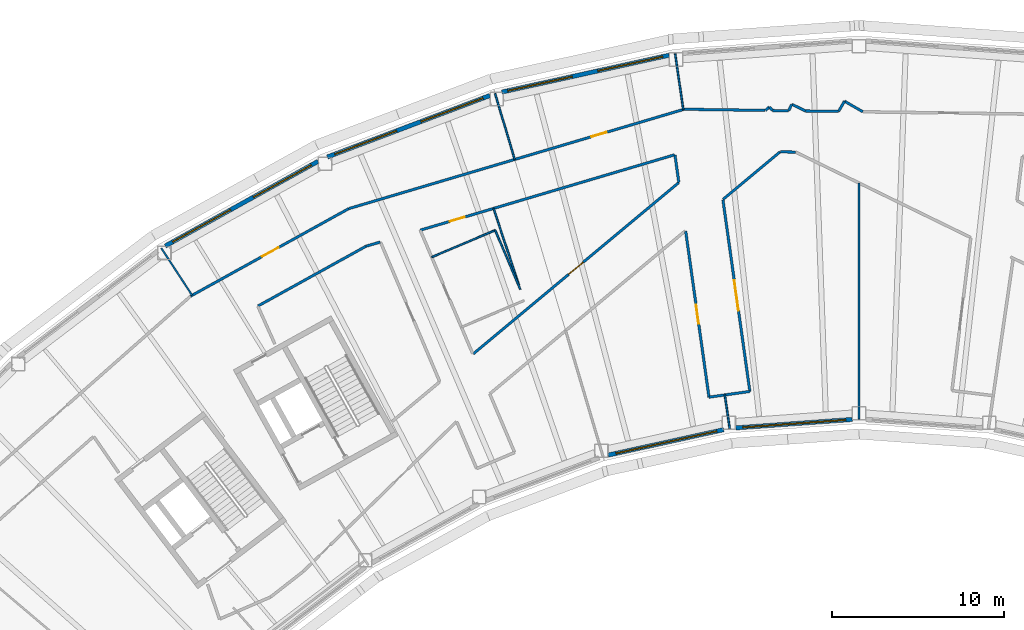
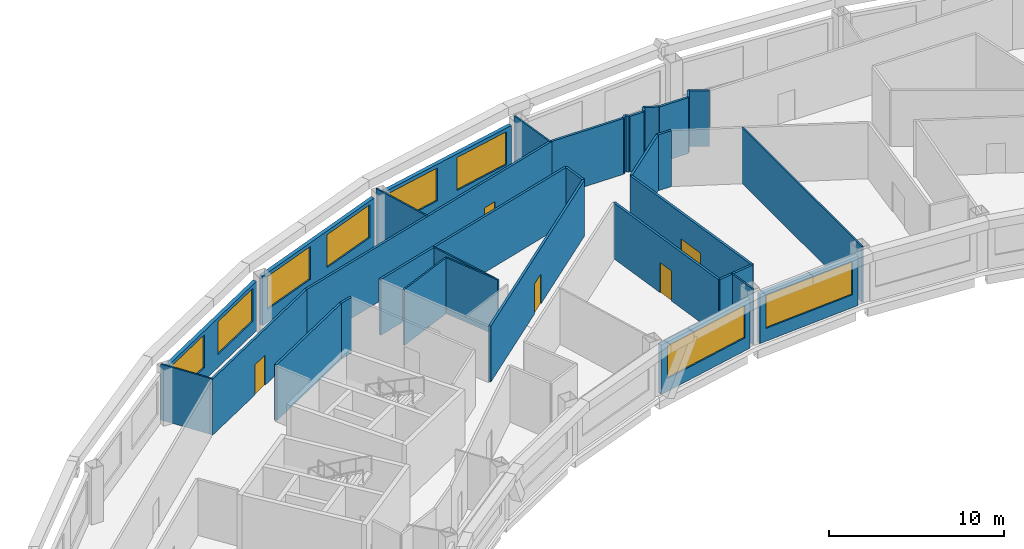
# One storey, part 7 of 14: 34 walls, 8 windows, 6 doors, 14 openings.
"""IFC4 building model written with IfcOpenShell, lengths in metres."""

from ifc_helpers import new_model, si_unit, direction, frame, frame_2d, origin, place, context, subcontext, project, spatial, rectangle, extrude, material, layer, layer_set, type_object, element, fill, save


model = new_model("IFC4")

# Units and contexts
model_context = context("Model", 3, precision=1e-05, world=origin(), true_north=direction((0.0, 1.0)))
body_context = subcontext(model_context, "Body", "Model", "MODEL_VIEW")
ifc_project = project(units=[si_unit("LENGTHUNIT", "METRE"), si_unit("AREAUNIT", "SQUARE_METRE"), si_unit("VOLUMEUNIT", "CUBIC_METRE"), si_unit("PLANEANGLEUNIT", "RADIAN"), si_unit("MASSUNIT", "GRAM", prefix="KILO")], contexts=[model_context])

# Site, building, storey
site_placement = place(None, origin())
site = spatial("IfcSite", under=ifc_project, at=site_placement, CompositionType="ELEMENT")
building_placement = place(site_placement, origin())
building = spatial("IfcBuilding", under=site, at=building_placement, Name="Tuul Gate Civic Tower", CompositionType="ELEMENT")
storey_placement = place(building_placement, frame((0.0, 0.0, 323.89990234375)))
storey = spatial("IfcBuildingStorey", under=building, at=storey_placement, Name="Level 73", CompositionType="ELEMENT", Elevation=323.89990234375)

# Walls
ifc_material_1 = material(Name="Gypsum board partition")
ifc_layer_1 = layer(ifc_material_1, 0.14990234375)
ifc_layer_set_1 = layer_set([ifc_layer_1], Name="Gypsum board partition")
wall_type_1 = type_object("IfcWallType", Name="Corridor wall P150", PredefinedType="PARTITIONING", material=ifc_layer_set_1)
wall_1_placement = place(storey_placement, frame((-7.98291015625, 10.157958984375, 0.0), z_axis=(0.0, 0.0, 1.0), x_axis=(0.999900180354, -0.014129024288, 0.0)))
element("IfcWall", 1, at=wall_1_placement, inside=storey, type_object=wall_type_1, Name="p014", PredefinedType="PARTITIONING", context=body_context, shape_type="SweptSolid", body=[
    extrude(rectangle(XDim=4.71728515625, YDim=0.14990234375, at=frame_2d((2.358642578125, 0.0))), origin(), (0.0, 0.0, 1.0), 3.900146484375),
])
wall_2_placement = place(storey_placement, frame((-2.83544921875, 10.085205078125, 0.0), z_axis=(0.0, 0.0, 1.0), x_axis=(0.999903922881, -0.01386163796, 0.0)))
element("IfcWall", 2, at=wall_2_placement, inside=storey, type_object=wall_type_1, Name="p015", PredefinedType="PARTITIONING", context=body_context, shape_type="SweptSolid", body=[
    extrude(rectangle(XDim=0.915771484375, YDim=0.14990234375, at=frame_2d((0.4580078125, 0.0))), origin(), (0.0, 0.0, 1.0), 3.900146484375),
])
wall_3_placement = place(storey_placement, frame((-0.91748046875, 10.05810546875, 0.0), z_axis=(0.0, 0.0, 1.0), x_axis=(0.9999006501, -0.014095741575, 0.0)))
element("IfcWall", 3, at=wall_3_placement, inside=storey, type_object=wall_type_1, Name="p016", PredefinedType="PARTITIONING", context=body_context, shape_type="SweptSolid", body=[
    extrude(rectangle(XDim=1.9052734375, YDim=0.14990234375, at=frame_2d((0.95263671875, 0.0))), origin(), (0.0, 0.0, 1.0), 3.900146484375),
])
wall_4_placement = place(storey_placement, frame((1.343505859375, 10.626708984375, 0.0), z_axis=(0.0, 0.0, 1.0), x_axis=(0.866684977595, -0.498855840511, 0.0)))
element("IfcWall", 4, at=wall_4_placement, inside=storey, type_object=wall_type_1, Name="p021", PredefinedType="PARTITIONING", context=body_context, shape_type="SweptSolid", body=[
    extrude(rectangle(XDim=1.22802734375, YDim=0.14990234375, at=frame_2d((0.614013671875, 0.0))), origin(), (0.0, 0.0, 1.0), 3.900146484375),
])
wall_5_placement = place(storey_placement, frame((1.005859375, 10.041748046875, 0.0), z_axis=(0.0, 0.0, 1.0), x_axis=(0.498709090945, 0.866769428746, 0.0)))
element("IfcWall", 5, at=wall_5_placement, inside=storey, type_object=wall_type_1, Name="p024", PredefinedType="PARTITIONING", context=body_context, shape_type="SweptSolid", body=[
    extrude(rectangle(XDim=0.674560546875, YDim=0.14990234375, at=frame_2d((0.33740234375, 0.0))), origin(), (0.0, 0.0, 1.0), 3.900146484375),
])
wall_6_placement = place(storey_placement, frame((-1.721923828125, 10.448486328125, 0.0), z_axis=(0.0, 0.0, 1.0), x_axis=(0.898638392768, -0.438690140125, 0.0)))
element("IfcWall", 6, at=wall_6_placement, inside=storey, type_object=wall_type_1, Name="p025", PredefinedType="PARTITIONING", context=body_context, shape_type="SweptSolid", body=[
    extrude(rectangle(XDim=0.88427734375, YDim=0.14990234375, at=frame_2d((0.442138671875, 0.0))), origin(), (0.0, 0.0, 1.0), 3.900146484375),
])
wall_7_placement = place(storey_placement, frame((-1.900634765625, 10.083984375, 0.0), z_axis=(0.0, 0.0, 1.0), x_axis=(0.438756078999, 0.898606200258, 0.0)))
element("IfcWall", 7, at=wall_7_placement, inside=storey, type_object=wall_type_1, Name="p026", PredefinedType="PARTITIONING", context=body_context, shape_type="SweptSolid", body=[
    extrude(rectangle(XDim=0.405029296875, YDim=0.14990234375, at=frame_2d((0.20263671875, 0.0))), origin(), (0.0, 0.0, 1.0), 3.900146484375),
])
wall_8_placement = place(storey_placement, frame((-3.016845703125, 10.29150390625, 0.0), z_axis=(0.0, 0.0, 1.0), x_axis=(0.640463102526, -0.767988941524, 0.0)))
element("IfcWall", 8, at=wall_8_placement, inside=storey, type_object=wall_type_1, Name="p027", PredefinedType="PARTITIONING", context=body_context, shape_type="SweptSolid", body=[
    extrude(rectangle(XDim=0.258544921875, YDim=0.14990234375, at=frame_2d((0.12939453125, 0.0))), origin(), (0.0, 0.0, 1.0), 3.900146484375),
])

# Wall, opening, door
wall_9_placement = place(storey_placement, frame((-20.246826171875, -4.06982421875, 0.0), z_axis=(0.0, 0.0, 1.0), x_axis=(0.768138936069, 0.640283198979, 0.0)))
wall_9 = element("IfcWall", 9, at=wall_9_placement, inside=storey, type_object=wall_type_1, Name="p029", PredefinedType="PARTITIONING", context=body_context, shape_type="SweptSolid", body=[
    extrude(rectangle(XDim=15.5546875, YDim=0.14990234375, at=frame_2d((7.77734375, 0.0))), origin(), (0.0, 0.0, 1.0), 3.900146484375),
])
opening_1_placement = place(wall_9_placement, frame((7.227294921875, 0.0, 0.0)))
opening_1 = element("IfcOpeningElement", 10, at=opening_1_placement, cuts=wall_9, Name="Opening AA-D23", PredefinedType="OPENING", context=body_context, shape_type="SweptSolid", body=[
    extrude(rectangle(XDim=1.10009765625, YDim=2.10009765625, at=frame_2d((0.550048828125, 1.050048828125))), frame((0.0, 0.0849609375, 0.0), z_axis=(0.0, -1.0, 0.0), x_axis=(1.0, 0.0, 0.0)), (0.0, 0.0, 1.0), 0.169921875),
])
ifc_material_2 = material(Name="Timber door leaf", Category="wood")
door_type_1 = type_object("IfcDoorType", Name="Door D11", OperationType="NOTDEFINED", PredefinedType="DOOR", material=ifc_material_2)
door_1_placement = place(opening_1_placement, origin())
door_1 = element("IfcDoor", 11, at=door_1_placement, inside=storey, type_object=door_type_1, Name="Door AA-D23", OperationType="SINGLE_SWING_RIGHT", OverallHeight=2.10009765625, OverallWidth=1.10009765625, PredefinedType="DOOR", context=body_context, shape_type="SweptSolid", body=[
    extrude(rectangle(XDim=1.10009765625, YDim=2.10009765625, at=frame_2d((0.550048828125, 1.050048828125))), frame((0.0, 0.02490234375, 0.0), z_axis=(0.0, -1.0, 0.0), x_axis=(1.0, 0.0, 0.0)), (0.0, 0.0, 1.0), 0.050048828125),
])
fill(opening_1, door_1)

# Wall
wall_10_placement = place(storey_placement, frame((-3.251953125, 10.096435546875, 0.0), z_axis=(0.0, 0.0, 1.0), x_axis=(0.768286942229, 0.640105596289, 0.0)))
element("IfcWall", 12, at=wall_10_placement, inside=storey, type_object=wall_type_1, Name="p030", PredefinedType="PARTITIONING", context=body_context, shape_type="SweptSolid", body=[
    extrude(rectangle(XDim=0.3046875, YDim=0.14990234375, at=frame_2d((0.15234375, 0.0))), origin(), (0.0, 0.0, 1.0), 3.900146484375),
])

# Wall, opening, door
wall_11_placement = place(storey_placement, frame((-27.4921875, 4.376708984375, 0.0), z_axis=(0.0, 0.0, 1.0), x_axis=(0.958785885626, 0.284129592833, 0.0)))
wall_11 = element("IfcWall", 13, at=wall_11_placement, inside=storey, type_object=wall_type_1, Name="p031", PredefinedType="PARTITIONING", context=body_context, shape_type="SweptSolid", body=[
    extrude(rectangle(XDim=20.346435546875, YDim=0.14990234375, at=frame_2d((10.17333984375, 0.0))), origin(), (0.0, 0.0, 1.0), 3.900146484375),
])
opening_2_placement = place(wall_11_placement, frame((14.73291015625, 0.0, 0.0)))
opening_2 = element("IfcOpeningElement", 14, at=opening_2_placement, cuts=wall_11, Name="Opening AA-D03", PredefinedType="OPENING", context=body_context, shape_type="SweptSolid", body=[
    extrude(rectangle(XDim=0.89990234375, YDim=2.10009765625, at=frame_2d((0.449951171875, 1.050048828125))), frame((0.0, 0.0849609375, 0.0), z_axis=(0.0, -1.0, 0.0), x_axis=(1.0, 0.0, 0.0)), (0.0, 0.0, 1.0), 0.169921875),
])
ifc_material_3 = material(Name="Timber door leaf", Category="wood")
door_type_2 = type_object("IfcDoorType", Name="Door D09", OperationType="NOTDEFINED", PredefinedType="DOOR", material=ifc_material_3)
door_2_placement = place(opening_2_placement, origin())
door_2 = element("IfcDoor", 15, at=door_2_placement, inside=storey, type_object=door_type_2, Name="Door AA-D03", OperationType="SINGLE_SWING_RIGHT", OverallHeight=2.10009765625, OverallWidth=0.89990234375, PredefinedType="DOOR", context=body_context, shape_type="SweptSolid", body=[
    extrude(rectangle(XDim=0.89990234375, YDim=2.10009765625, at=frame_2d((0.449951171875, 1.050048828125))), frame((0.0, 0.02490234375, 0.0), z_axis=(0.0, -1.0, 0.0), x_axis=(1.0, 0.0, 0.0)), (0.0, 0.0, 1.0), 0.050048828125),
])
fill(opening_2, door_2)

wall_12_placement = place(storey_placement, frame((-36.686767578125, -0.711181640625, 0.0), z_axis=(0.0, 0.0, 1.0), x_axis=(0.874969326866, 0.484178352514, 0.0)))
wall_12 = element("IfcWall", 16, at=wall_12_placement, inside=storey, type_object=wall_type_1, Name="p036", PredefinedType="PARTITIONING", context=body_context, shape_type="SweptSolid", body=[
    extrude(rectangle(XDim=10.5068359375, YDim=0.14990234375, at=frame_2d((5.25341796875, 0.0))), origin(), (0.0, 0.0, 1.0), 3.900146484375),
])
opening_3_placement = place(wall_12_placement, frame((4.753662109375, 0.0, 0.0)))
opening_3 = element("IfcOpeningElement", 17, at=opening_3_placement, cuts=wall_12, Name="Opening AA-D04", PredefinedType="OPENING", context=body_context, shape_type="SweptSolid", body=[
    extrude(rectangle(XDim=1.10009765625, YDim=2.10009765625, at=frame_2d((0.550048828125, 1.050048828125))), frame((0.0, 0.0849609375, 0.0), z_axis=(0.0, -1.0, 0.0), x_axis=(1.0, 0.0, 0.0)), (0.0, 0.0, 1.0), 0.169921875),
])
door_3_placement = place(opening_3_placement, origin())
door_3 = element("IfcDoor", 18, at=door_3_placement, inside=storey, type_object=door_type_1, Name="Door AA-D04", OperationType="SINGLE_SWING_RIGHT", OverallHeight=2.10009765625, OverallWidth=1.10009765625, PredefinedType="DOOR", context=body_context, shape_type="SweptSolid", body=[
    extrude(rectangle(XDim=1.10009765625, YDim=2.10009765625, at=frame_2d((0.550048828125, 1.050048828125))), frame((0.0, 0.02490234375, 0.0), z_axis=(0.0, -1.0, 0.0), x_axis=(1.0, 0.0, 0.0)), (0.0, 0.0, 1.0), 0.050048828125),
])
fill(opening_3, door_3)

# Wall
wall_13_placement = place(storey_placement, frame((-6.53564453125, -6.5869140625, 0.0), z_axis=(0.0, 0.0, 1.0), x_axis=(0.990258552529, 0.139240795545, 0.0)))
element("IfcWall", 19, at=wall_13_placement, inside=storey, type_object=wall_type_1, Name="p076", PredefinedType="PARTITIONING", context=body_context, shape_type="SweptSolid", body=[
    extrude(rectangle(XDim=2.398681640625, YDim=0.14990234375, at=frame_2d((1.19921875, 0.0))), origin(), (0.0, 0.0, 1.0), 3.900146484375),
])

# Wall, opening, door
wall_14_placement = place(storey_placement, frame((-5.726806640625, 4.896240234375, 0.0), z_axis=(0.0, 0.0, 1.0), x_axis=(0.139180402056, -0.990267042612, 0.0)))
wall_14 = element("IfcWall", 20, at=wall_14_placement, inside=storey, type_object=wall_type_1, Name="p077", PredefinedType="PARTITIONING", context=body_context, shape_type="SweptSolid", body=[
    extrude(rectangle(XDim=11.258056640625, YDim=0.14990234375, at=frame_2d((5.62890625, 0.0))), origin(), (0.0, 0.0, 1.0), 3.900146484375),
])
opening_4_placement = place(wall_14_placement, frame((4.72900390625, 0.0, 0.0)))
opening_4 = element("IfcOpeningElement", 21, at=opening_4_placement, cuts=wall_14, Name="Opening AA-D15", PredefinedType="OPENING", context=body_context, shape_type="SweptSolid", body=[
    extrude(rectangle(XDim=1.800048828125, YDim=2.10009765625, at=frame_2d((0.89990234375, 1.050048828125))), frame((0.0, 0.0849609375, 0.0), z_axis=(0.0, -1.0, 0.0), x_axis=(1.0, 0.0, 0.0)), (0.0, 0.0, 1.0), 0.169921875),
])
ifc_material_4 = material(Name="Timber door leaf, double", Category="wood")
door_type_3 = type_object("IfcDoorType", Name="Door D18", OperationType="DOUBLE_DOOR_SINGLE_SWING", PredefinedType="DOOR", material=ifc_material_4)
door_4_placement = place(opening_4_placement, origin())
door_4 = element("IfcDoor", 22, at=door_4_placement, inside=storey, type_object=door_type_3, Name="Door AA-D15", OperationType="DOUBLE_DOOR_SINGLE_SWING", OverallHeight=2.10009765625, OverallWidth=1.800048828125, PredefinedType="DOOR", context=body_context, shape_type="SweptSolid", body=[
    extrude(rectangle(XDim=1.800048828125, YDim=2.10009765625, at=frame_2d((0.89990234375, 1.050048828125))), frame((0.0, 0.02490234375, 0.0), z_axis=(0.0, -1.0, 0.0), x_axis=(1.0, 0.0, 0.0)), (0.0, 0.0, 1.0), 0.050048828125),
])
fill(opening_4, door_4)

# Walls
wall_15_placement = place(storey_placement, frame((-5.719482421875, 4.915283203125, 0.0), z_axis=(0.0, 0.0, 1.0), x_axis=(0.768165605257, 0.640251202967, 0.0)))
element("IfcWall", 23, at=wall_15_placement, inside=storey, type_object=wall_type_1, Name="p081", PredefinedType="PARTITIONING", context=body_context, shape_type="SweptSolid", body=[
    extrude(rectangle(XDim=4.3134765625, YDim=0.14990234375, at=frame_2d((2.15673828125, 0.0))), origin(), (0.0, 0.0, 1.0), 3.900146484375),
])
wall_16_placement = place(storey_placement, frame((-2.39208984375, 7.681884765625, 0.0), z_axis=(0.0, 0.0, 1.0), x_axis=(0.999842766051, -0.017732545646, 0.0)))
element("IfcWall", 24, at=wall_16_placement, inside=storey, type_object=wall_type_1, Name="p082", PredefinedType="PARTITIONING", context=body_context, shape_type="SweptSolid", body=[
    extrude(rectangle(XDim=0.89501953125, YDim=0.14990234375, at=frame_2d((0.447509765625, 0.0))), origin(), (0.0, 0.0, 1.0), 3.900146484375),
])
wall_17_placement = place(storey_placement, frame((-8.51513671875, 7.4921875, 0.0), z_axis=(0.0, 0.0, 1.0), x_axis=(0.139156639217, -0.990270382149, 0.0)))
element("IfcWall", 25, at=wall_17_placement, inside=storey, type_object=wall_type_1, Name="p084", PredefinedType="PARTITIONING", context=body_context, shape_type="SweptSolid", body=[
    extrude(rectangle(XDim=1.60009765625, YDim=0.14990234375, at=frame_2d((0.800048828125, 0.0))), origin(), (0.0, 0.0, 1.0), 3.900146484375),
])

# Wall, opening, door
wall_18_placement = place(storey_placement, frame((-7.892578125, 3.063232421875, 0.0), z_axis=(0.0, 0.0, 1.0), x_axis=(0.139155018901, -0.990270609841, 0.0)))
wall_18 = element("IfcWall", 26, at=wall_18_placement, inside=storey, type_object=wall_type_1, Name="p085", PredefinedType="PARTITIONING", context=body_context, shape_type="SweptSolid", body=[
    extrude(rectangle(XDim=9.744140625, YDim=0.14990234375, at=frame_2d((4.8720703125, 0.0))), origin(), (0.0, 0.0, 1.0), 3.900146484375),
])
opening_5_placement = place(wall_18_placement, frame((4.322265625, 0.0, 0.0)))
opening_5 = element("IfcOpeningElement", 27, at=opening_5_placement, cuts=wall_18, Name="Opening AA-D16", PredefinedType="OPENING", context=body_context, shape_type="SweptSolid", body=[
    extrude(rectangle(XDim=1.10009765625, YDim=2.10009765625, at=frame_2d((0.550048828125, 1.050048828125))), frame((0.0, 0.0849609375, 0.0), z_axis=(0.0, -1.0, 0.0), x_axis=(1.0, 0.0, 0.0)), (0.0, 0.0, 1.0), 0.169921875),
])
door_5_placement = place(opening_5_placement, frame((1.10009765625, 0.0, 0.0), z_axis=(0.0, 0.0, 1.0), x_axis=(-1.0, 0.0, 0.0)))
door_5 = element("IfcDoor", 28, at=door_5_placement, inside=storey, type_object=door_type_1, Name="Door AA-D16", OperationType="SINGLE_SWING_LEFT", OverallHeight=2.10009765625, OverallWidth=1.10009765625, PredefinedType="DOOR", context=body_context, shape_type="SweptSolid", body=[
    extrude(rectangle(XDim=1.10009765625, YDim=2.10009765625, at=frame_2d((0.550048828125, 1.050048828125))), frame((0.0, 0.02490234375, 0.0), z_axis=(0.0, -1.0, 0.0), x_axis=(1.0, 0.0, 0.0)), (0.0, 0.0, 1.0), 0.050048828125),
])
fill(opening_5, door_5)

# Wall
wall_19_placement = place(storey_placement, frame((-26.485595703125, 2.190185546875, 0.0), z_axis=(0.0, 0.0, 1.0), x_axis=(0.958737802555, 0.284291797196, 0.0)))
element("IfcWall", 29, at=wall_19_placement, inside=storey, type_object=wall_type_1, Name="p107", PredefinedType="PARTITIONING", context=body_context, shape_type="SweptSolid", body=[
    extrude(rectangle(XDim=0.85791015625, YDim=0.14990234375, at=frame_2d((0.428955078125, 0.0))), origin(), (0.0, 0.0, 1.0), 3.900146484375),
])

# Wall, opening, door
wall_20_placement = place(storey_placement, frame((-23.32958984375, 3.125732421875, 0.0), z_axis=(0.0, 0.0, 1.0), x_axis=(0.958770323689, 0.284182100796, 0.0)))
wall_20 = element("IfcWall", 30, at=wall_20_placement, inside=storey, type_object=wall_type_1, Name="p108", PredefinedType="PARTITIONING", context=body_context, shape_type="SweptSolid", body=[
    extrude(rectangle(XDim=15.42431640625, YDim=0.14990234375, at=frame_2d((7.712158203125, 0.0))), origin(), (0.0, 0.0, 1.0), 3.900146484375),
])
opening_6_placement = place(wall_20_placement, frame((1.78955078125, 0.0, 0.0)))
opening_6 = element("IfcOpeningElement", 31, at=opening_6_placement, cuts=wall_20, Name="Opening AA-D27", PredefinedType="OPENING", context=body_context, shape_type="SweptSolid", body=[
    extrude(rectangle(XDim=0.89990234375, YDim=2.10009765625, at=frame_2d((0.449951171875, 1.050048828125))), frame((0.0, 0.0849609375, 0.0), z_axis=(0.0, -1.0, 0.0), x_axis=(1.0, 0.0, 0.0)), (0.0, 0.0, 1.0), 0.169921875),
])
door_6_placement = place(opening_6_placement, frame((0.89990234375, 0.0, 0.0), z_axis=(0.0, 0.0, 1.0), x_axis=(-1.0, 0.0, 0.0)))
door_6 = element("IfcDoor", 32, at=door_6_placement, inside=storey, type_object=door_type_2, Name="Door AA-D27", OperationType="SINGLE_SWING_LEFT", OverallHeight=2.10009765625, OverallWidth=0.89990234375, PredefinedType="DOOR", context=body_context, shape_type="SweptSolid", body=[
    extrude(rectangle(XDim=0.89990234375, YDim=2.10009765625, at=frame_2d((0.449951171875, 1.050048828125))), frame((0.0, 0.02490234375, 0.0), z_axis=(0.0, -1.0, 0.0), x_axis=(1.0, 0.0, 0.0)), (0.0, 0.0, 1.0), 0.050048828125),
])
fill(opening_6, door_6)

# Wall
wall_21_placement = place(storey_placement, frame((-32.760009765625, -1.28125, 0.0), z_axis=(0.0, 0.0, 1.0), x_axis=(0.874975693956, 0.484166846227, 0.0)))
element("IfcWall", 33, at=wall_21_placement, inside=storey, type_object=wall_type_1, Name="p112", PredefinedType="PARTITIONING", context=body_context, shape_type="SweptSolid", body=[
    extrude(rectangle(XDim=7.165283203125, YDim=0.14990234375, at=frame_2d((3.58251953125, 0.0))), origin(), (0.0, 0.0, 1.0), 3.900146484375),
])

# Wall, openings, windows
ifc_material_5 = material(Name="Precast concrete C40/50", Category="concrete")
ifc_layer_2 = layer(ifc_material_5, 0.25)
ifc_layer_set_2 = layer_set([ifc_layer_2], Name="Precast concrete C40/50")
wall_type_2 = type_object("IfcWallType", Name="External wall", PredefinedType="STANDARD", material=ifc_layer_set_2)
wall_22_placement = place(storey_placement, frame((-8.85693359375, 13.30126953125, 0.0), z_axis=(0.0, 0.0, 1.0), x_axis=(-0.97656455672, -0.215224688544, 0.0)))
wall_22 = element("IfcWall", 34, at=wall_22_placement, inside=storey, type_object=wall_type_2, Name="External wall", PredefinedType="STANDARD", context=body_context, shape_type="SweptSolid", body=[
    extrude(rectangle(XDim=9.95849609375, YDim=0.25, at=frame_2d((4.979248046875, 0.0))), origin(), (0.0, 0.0, 1.0), 3.4501953125),
])
opening_7_placement = place(wall_22_placement, frame((0.39013671875, 0.0, 0.89990234375)))
opening_7 = element("IfcOpeningElement", 35, at=opening_7_placement, cuts=wall_22, Name="Opening W22", PredefinedType="OPENING", context=body_context, shape_type="SweptSolid", body=[
    extrude(rectangle(XDim=3.85009765625, YDim=2.300048828125, at=frame_2d((1.925048828125, 1.14990234375))), frame((0.0, 0.135009765625, 0.0), z_axis=(0.0, -1.0, 0.0), x_axis=(1.0, 0.0, 0.0)), (0.0, 0.0, 1.0), 0.27001953125),
])
opening_8_placement = place(wall_22_placement, frame((5.761474609375, 0.0, 0.89990234375)))
opening_8 = element("IfcOpeningElement", 36, at=opening_8_placement, cuts=wall_22, Name="Opening W22", PredefinedType="OPENING", context=body_context, shape_type="SweptSolid", body=[
    extrude(rectangle(XDim=3.85009765625, YDim=2.300048828125, at=frame_2d((1.925048828125, 1.14990234375))), frame((0.0, 0.135009765625, 0.0), z_axis=(0.0, -1.0, 0.0), x_axis=(1.0, 0.0, 0.0)), (0.0, 0.0, 1.0), 0.27001953125),
])
ifc_material_6 = material(Name="Glass", Category="glass")
window_type_1 = type_object("IfcWindowType", Name="Window W22 3850 x 2300", PartitioningType="SINGLE_PANEL", PredefinedType="WINDOW", material=ifc_material_6)
window_1_placement = place(opening_7_placement, origin())
window_1 = element("IfcWindow", 37, at=window_1_placement, inside=storey, type_object=window_type_1, Name="Window", OverallHeight=2.300048828125, OverallWidth=3.85009765625, PartitioningType="SINGLE_PANEL", PredefinedType="WINDOW", context=body_context, shape_type="SweptSolid", body=[
    extrude(rectangle(XDim=3.85009765625, YDim=2.300048828125, at=frame_2d((1.925048828125, 1.14990234375))), frame((0.0, 0.030029296875, 0.0), z_axis=(0.0, -1.0, 0.0), x_axis=(1.0, 0.0, 0.0)), (0.0, 0.0, 1.0), 0.06005859375),
])
fill(opening_7, window_1)
window_2_placement = place(opening_8_placement, origin())
window_2 = element("IfcWindow", 38, at=window_2_placement, inside=storey, type_object=window_type_1, Name="Window", OverallHeight=2.300048828125, OverallWidth=3.85009765625, PartitioningType="SINGLE_PANEL", PredefinedType="WINDOW", context=body_context, shape_type="SweptSolid", body=[
    extrude(rectangle(XDim=3.85009765625, YDim=2.300048828125, at=frame_2d((1.925048828125, 1.14990234375))), frame((0.0, 0.030029296875, 0.0), z_axis=(0.0, -1.0, 0.0), x_axis=(1.0, 0.0, 0.0)), (0.0, 0.0, 1.0), 0.06005859375),
])
fill(opening_8, window_2)

wall_23_placement = place(storey_placement, frame((-19.284912109375, 10.95458984375, 0.0), z_axis=(0.0, 0.0, 1.0), x_axis=(-0.93534700963, -0.353731496444, 0.0)))
wall_23 = element("IfcWall", 39, at=wall_23_placement, inside=storey, type_object=wall_type_2, Name="External wall", PredefinedType="STANDARD", context=body_context, shape_type="SweptSolid", body=[
    extrude(rectangle(XDim=10.099609375, YDim=0.25, at=frame_2d((5.0498046875, 0.0))), origin(), (0.0, 0.0, 1.0), 3.4501953125),
])
opening_9_placement = place(wall_23_placement, frame((0.422607421875, 0.0, 0.89990234375)))
opening_9 = element("IfcOpeningElement", 40, at=opening_9_placement, cuts=wall_23, Name="Opening W22", PredefinedType="OPENING", context=body_context, shape_type="SweptSolid", body=[
    extrude(rectangle(XDim=3.85009765625, YDim=2.300048828125, at=frame_2d((1.925048828125, 1.14990234375))), frame((0.0, 0.135009765625, 0.0), z_axis=(0.0, -1.0, 0.0), x_axis=(1.0, 0.0, 0.0)), (0.0, 0.0, 1.0), 0.27001953125),
])
opening_10_placement = place(wall_23_placement, frame((5.7939453125, 0.0, 0.89990234375)))
opening_10 = element("IfcOpeningElement", 41, at=opening_10_placement, cuts=wall_23, Name="Opening W22", PredefinedType="OPENING", context=body_context, shape_type="SweptSolid", body=[
    extrude(rectangle(XDim=3.85009765625, YDim=2.300048828125, at=frame_2d((1.925048828125, 1.14990234375))), frame((0.0, 0.135009765625, 0.0), z_axis=(0.0, -1.0, 0.0), x_axis=(1.0, 0.0, 0.0)), (0.0, 0.0, 1.0), 0.27001953125),
])
window_3_placement = place(opening_9_placement, origin())
window_3 = element("IfcWindow", 42, at=window_3_placement, inside=storey, type_object=window_type_1, Name="Window", OverallHeight=2.300048828125, OverallWidth=3.85009765625, PartitioningType="SINGLE_PANEL", PredefinedType="WINDOW", context=body_context, shape_type="SweptSolid", body=[
    extrude(rectangle(XDim=3.85009765625, YDim=2.300048828125, at=frame_2d((1.925048828125, 1.14990234375))), frame((0.0, 0.030029296875, 0.0), z_axis=(0.0, -1.0, 0.0), x_axis=(1.0, 0.0, 0.0)), (0.0, 0.0, 1.0), 0.06005859375),
])
fill(opening_9, window_3)
window_4_placement = place(opening_10_placement, origin())
window_4 = element("IfcWindow", 43, at=window_4_placement, inside=storey, type_object=window_type_1, Name="Window", OverallHeight=2.300048828125, OverallWidth=3.85009765625, PartitioningType="SINGLE_PANEL", PredefinedType="WINDOW", context=body_context, shape_type="SweptSolid", body=[
    extrude(rectangle(XDim=3.85009765625, YDim=2.300048828125, at=frame_2d((1.925048828125, 1.14990234375))), frame((0.0, 0.030029296875, 0.0), z_axis=(0.0, -1.0, 0.0), x_axis=(1.0, 0.0, 0.0)), (0.0, 0.0, 1.0), 0.06005859375),
])
fill(opening_10, window_4)

wall_24_placement = place(storey_placement, frame((-29.27197265625, 7.131103515625, 0.0), z_axis=(0.0, 0.0, 1.0), x_axis=(-0.87463511472, -0.484781823193, 0.0)))
wall_24 = element("IfcWall", 44, at=wall_24_placement, inside=storey, type_object=wall_type_2, Name="External wall", PredefinedType="STANDARD", context=body_context, shape_type="SweptSolid", body=[
    extrude(rectangle(XDim=10.161376953125, YDim=0.25, at=frame_2d((5.08056640625, 0.0))), origin(), (0.0, 0.0, 1.0), 3.4501953125),
])
opening_11_placement = place(wall_24_placement, frame((0.4501953125, 0.0, 0.89990234375)))
opening_11 = element("IfcOpeningElement", 45, at=opening_11_placement, cuts=wall_24, Name="Opening W22", PredefinedType="OPENING", context=body_context, shape_type="SweptSolid", body=[
    extrude(rectangle(XDim=3.85009765625, YDim=2.300048828125, at=frame_2d((1.925048828125, 1.14990234375))), frame((0.0, 0.135009765625, 0.0), z_axis=(0.0, -1.0, 0.0), x_axis=(1.0, 0.0, 0.0)), (0.0, 0.0, 1.0), 0.27001953125),
])
opening_12_placement = place(wall_24_placement, frame((5.821533203125, 0.0, 0.89990234375)))
opening_12 = element("IfcOpeningElement", 46, at=opening_12_placement, cuts=wall_24, Name="Opening W22", PredefinedType="OPENING", context=body_context, shape_type="SweptSolid", body=[
    extrude(rectangle(XDim=3.85009765625, YDim=2.300048828125, at=frame_2d((1.925048828125, 1.14990234375))), frame((0.0, 0.135009765625, 0.0), z_axis=(0.0, -1.0, 0.0), x_axis=(1.0, 0.0, 0.0)), (0.0, 0.0, 1.0), 0.27001953125),
])
window_5_placement = place(opening_11_placement, origin())
window_5 = element("IfcWindow", 47, at=window_5_placement, inside=storey, type_object=window_type_1, Name="Window", OverallHeight=2.300048828125, OverallWidth=3.85009765625, PartitioningType="SINGLE_PANEL", PredefinedType="WINDOW", context=body_context, shape_type="SweptSolid", body=[
    extrude(rectangle(XDim=3.85009765625, YDim=2.300048828125, at=frame_2d((1.925048828125, 1.14990234375))), frame((0.0, 0.030029296875, 0.0), z_axis=(0.0, -1.0, 0.0), x_axis=(1.0, 0.0, 0.0)), (0.0, 0.0, 1.0), 0.06005859375),
])
fill(opening_11, window_5)
window_6_placement = place(opening_12_placement, origin())
window_6 = element("IfcWindow", 48, at=window_6_placement, inside=storey, type_object=window_type_1, Name="Window", OverallHeight=2.300048828125, OverallWidth=3.85009765625, PartitioningType="SINGLE_PANEL", PredefinedType="WINDOW", context=body_context, shape_type="SweptSolid", body=[
    extrude(rectangle(XDim=3.85009765625, YDim=2.300048828125, at=frame_2d((1.925048828125, 1.14990234375))), frame((0.0, 0.030029296875, 0.0), z_axis=(0.0, -1.0, 0.0), x_axis=(1.0, 0.0, 0.0)), (0.0, 0.0, 1.0), 0.06005859375),
])
fill(opening_12, window_6)

# Wall, opening, window
wall_25_placement = place(storey_placement, frame((-12.39404296875, -9.955322265625, 0.0), z_axis=(0.0, 0.0, 1.0), x_axis=(0.976561146318, 0.215240162382, 0.0)))
wall_25 = element("IfcWall", 49, at=wall_25_placement, inside=storey, type_object=wall_type_2, Name="External wall", PredefinedType="STANDARD", context=body_context, shape_type="SweptSolid", body=[
    extrude(rectangle(XDim=6.867919921875, YDim=0.25, at=frame_2d((3.43408203125, 0.0))), origin(), (0.0, 0.0, 1.0), 3.4501953125),
])
opening_13_placement = place(wall_25_placement, frame((0.458251953125, 0.0, 0.89990234375)))
opening_13 = element("IfcOpeningElement", 50, at=opening_13_placement, cuts=wall_25, Name="Opening W26", PredefinedType="OPENING", context=body_context, shape_type="SweptSolid", body=[
    extrude(rectangle(XDim=6.0, YDim=2.300048828125, at=frame_2d((3.0, 1.14990234375))), frame((0.0, 0.135009765625, 0.0), z_axis=(0.0, -1.0, 0.0), x_axis=(1.0, 0.0, 0.0)), (0.0, 0.0, 1.0), 0.27001953125),
])
ifc_material_7 = material(Name="Glass", Category="glass")
window_type_2 = type_object("IfcWindowType", Name="Window W26 6000 x 2300", PartitioningType="SINGLE_PANEL", PredefinedType="WINDOW", material=ifc_material_7)
window_7_placement = place(opening_13_placement, origin())
window_7 = element("IfcWindow", 51, at=window_7_placement, inside=storey, type_object=window_type_2, Name="Window", OverallHeight=2.300048828125, OverallWidth=6.0, PartitioningType="SINGLE_PANEL", PredefinedType="WINDOW", context=body_context, shape_type="SweptSolid", body=[
    extrude(rectangle(XDim=6.0, YDim=2.300048828125, at=frame_2d((3.0, 1.14990234375))), frame((0.0, 0.030029296875, 0.0), z_axis=(0.0, -1.0, 0.0), x_axis=(1.0, 0.0, 0.0)), (0.0, 0.0, 1.0), 0.06005859375),
])
fill(opening_13, window_7)

wall_26_placement = place(storey_placement, frame((-4.97998046875, -8.373291015625, 0.0), z_axis=(0.0, 0.0, 1.0), x_axis=(0.997384795983, 0.072274260578, 0.0)))
wall_26 = element("IfcWall", 52, at=wall_26_placement, inside=storey, type_object=wall_type_2, Name="External wall", PredefinedType="STANDARD", context=body_context, shape_type="SweptSolid", body=[
    extrude(rectangle(XDim=6.789794921875, YDim=0.25, at=frame_2d((3.39501953125, 0.0))), origin(), (0.0, 0.0, 1.0), 3.4501953125),
])
opening_14_placement = place(wall_26_placement, frame((0.41845703125, 0.0, 0.89990234375)))
opening_14 = element("IfcOpeningElement", 53, at=opening_14_placement, cuts=wall_26, Name="Opening W26", PredefinedType="OPENING", context=body_context, shape_type="SweptSolid", body=[
    extrude(rectangle(XDim=6.0, YDim=2.300048828125, at=frame_2d((3.0, 1.14990234375))), frame((0.0, 0.135009765625, 0.0), z_axis=(0.0, -1.0, 0.0), x_axis=(1.0, 0.0, 0.0)), (0.0, 0.0, 1.0), 0.27001953125),
])
window_8_placement = place(opening_14_placement, origin())
window_8 = element("IfcWindow", 54, at=window_8_placement, inside=storey, type_object=window_type_2, Name="Window", OverallHeight=2.300048828125, OverallWidth=6.0, PartitioningType="SINGLE_PANEL", PredefinedType="WINDOW", context=body_context, shape_type="SweptSolid", body=[
    extrude(rectangle(XDim=6.0, YDim=2.300048828125, at=frame_2d((3.0, 1.14990234375))), frame((0.0, 0.030029296875, 0.0), z_axis=(0.0, -1.0, 0.0), x_axis=(1.0, 0.0, 0.0)), (0.0, 0.0, 1.0), 0.06005859375),
])
fill(opening_14, window_8)

# Walls
ifc_material_8 = material(Name="Gypsum board partition")
ifc_layer_3 = layer(ifc_material_8, 0.10009765625)
ifc_layer_set_3 = layer_set([ifc_layer_3], Name="Gypsum board partition")
wall_type_3 = type_object("IfcWallType", Name="Partition P100", PredefinedType="PARTITIONING", material=ifc_layer_set_3)
wall_27_placement = place(storey_placement, frame((-8.505126953125, 13.3837890625, 0.0), z_axis=(0.0, 0.0, 1.0), x_axis=(0.144113739499, -0.989561130041, 0.0)))
element("IfcWall", 55, at=wall_27_placement, inside=storey, type_object=wall_type_3, Name="p019", PredefinedType="PARTITIONING", context=body_context, shape_type="SweptSolid", body=[
    extrude(rectangle(XDim=3.274658203125, YDim=0.10009765625, at=frame_2d((1.63720703125, 0.0))), origin(), (0.0, 0.0, 1.0), 3.900146484375),
])
wall_28_placement = place(storey_placement, frame((-5.61572265625, -6.45751953125, 0.0), z_axis=(0.0, 0.0, 1.0), x_axis=(0.14411444465, -0.989561027347, 0.0)))
element("IfcWall", 56, at=wall_28_placement, inside=storey, type_object=wall_type_3, Name="p020", PredefinedType="PARTITIONING", context=body_context, shape_type="SweptSolid", body=[
    extrude(rectangle(XDim=1.966796875, YDim=0.10009765625, at=frame_2d((0.9833984375, 0.0))), origin(), (0.0, 0.0, 1.0), 3.900146484375),
])
wall_29_placement = place(storey_placement, frame((-18.97900390625, 11.07568359375, 0.0), z_axis=(0.0, 0.0, 1.0), x_axis=(0.285238257861, -0.958456642865, 0.0)))
element("IfcWall", 57, at=wall_29_placement, inside=storey, type_object=wall_type_3, Name="p032", PredefinedType="PARTITIONING", context=body_context, shape_type="SweptSolid", body=[
    extrude(rectangle(XDim=4.00390625, YDim=0.10009765625, at=frame_2d((2.001953125, 0.0))), origin(), (0.0, 0.0, 1.0), 3.900146484375),
])
wall_30_placement = place(storey_placement, frame((-38.391357421875, 2.082275390625, 0.0), z_axis=(0.0, 0.0, 1.0), x_axis=(0.546717512126, -0.837317121487, 0.0)))
element("IfcWall", 58, at=wall_30_placement, inside=storey, type_object=wall_type_3, Name="p034", PredefinedType="PARTITIONING", context=body_context, shape_type="SweptSolid", body=[
    extrude(rectangle(XDim=3.278076171875, YDim=0.10009765625, at=frame_2d((1.63916015625, 0.0))), origin(), (0.0, 0.0, 1.0), 3.900146484375),
])
wall_31_placement = place(storey_placement, frame((2.19189453125, -7.858642578125, 0.0), z_axis=(0.0, 0.0, 1.0), x_axis=(0.0, 1.0, 0.0)))
element("IfcWall", 59, at=wall_31_placement, inside=storey, type_object=wall_type_3, Name="p071", PredefinedType="PARTITIONING", context=body_context, shape_type="SweptSolid", body=[
    extrude(rectangle(XDim=13.7265625, YDim=0.10009765625, at=frame_2d((6.86328125, 0.0))), origin(), (0.0, 0.0, 1.0), 3.900146484375),
])
wall_32_placement = place(storey_placement, frame((-19.06396484375, 4.389892578125, 0.0), z_axis=(0.0, 0.0, 1.0), x_axis=(0.313167279049, -0.949697981115, 0.0)))
element("IfcWall", 60, at=wall_32_placement, inside=storey, type_object=wall_type_3, Name="p106", PredefinedType="PARTITIONING", context=body_context, shape_type="SweptSolid", body=[
    extrude(rectangle(XDim=4.693115234375, YDim=0.10009765625, at=frame_2d((2.3466796875, 0.0))), origin(), (0.0, 0.0, 1.0), 3.900146484375),
])
wall_33_placement = place(storey_placement, frame((-22.6630859375, 1.555419921875, 0.0), z_axis=(0.0, 0.0, 1.0), x_axis=(0.920496854954, 0.390749971235, 0.0)))
element("IfcWall", 61, at=wall_33_placement, inside=storey, type_object=wall_type_3, Name="p109", PredefinedType="PARTITIONING", context=body_context, shape_type="SweptSolid", body=[
    extrude(rectangle(XDim=4.010009765625, YDim=0.10009765625, at=frame_2d((2.0048828125, 0.0))), origin(), (0.0, 0.0, 1.0), 3.900146484375),
])
wall_34_placement = place(storey_placement, frame((-18.971923828125, 3.122314453125, 0.0), z_axis=(0.0, 0.0, 1.0), x_axis=(0.390709160534, -0.920514177987, 0.0)))
element("IfcWall", 62, at=wall_34_placement, inside=storey, type_object=wall_type_3, Name="p110", PredefinedType="PARTITIONING", context=body_context, shape_type="SweptSolid", body=[
    extrude(rectangle(XDim=3.738525390625, YDim=0.10009765625, at=frame_2d((1.869140625, 0.0))), origin(), (0.0, 0.0, 1.0), 3.900146484375),
])

save(model, "model.ifc")
